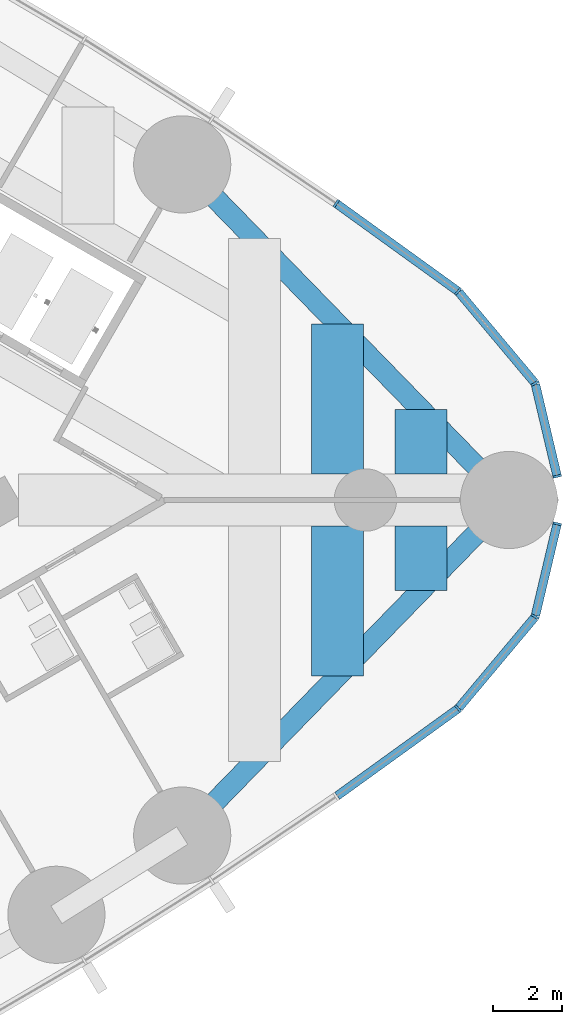
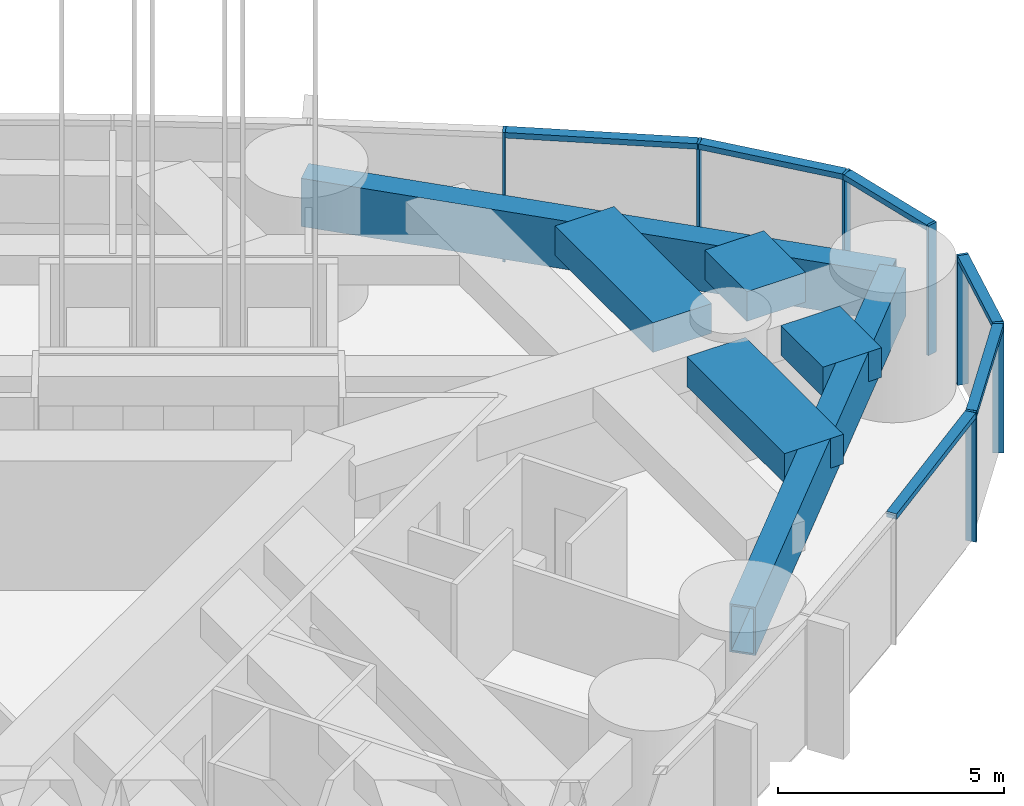
# One storey, part 9 of 21: 13 members, 6 beams, 2 elements without a shape of their own.
"""IFC4 building model written with IfcOpenShell, lengths in metres."""

from ifc_helpers import new_model, si_unit, direction, frame, origin, origin_2d, place, context, subcontext, project, spatial, rectangle, hollow_rectangle, extrude, material, material_profile, profile_set, type_object, element, aggregate, save


model = new_model("IFC4")

# Units and contexts
model_context = context("Model", 3, precision=1e-05, world=origin(), true_north=direction((0.0, 1.0)))
body_context = subcontext(model_context, "Body", "Model", "MODEL_VIEW")
ifc_project = project(units=[si_unit("LENGTHUNIT", "METRE"), si_unit("AREAUNIT", "SQUARE_METRE"), si_unit("VOLUMEUNIT", "CUBIC_METRE"), si_unit("PLANEANGLEUNIT", "RADIAN"), si_unit("MASSUNIT", "GRAM", prefix="KILO")], contexts=[model_context])

# Site, building, storey
site_placement = place(None, origin())
site = spatial("IfcSite", under=ifc_project, at=site_placement, CompositionType="ELEMENT")
building_placement = place(site_placement, origin())
building = spatial("IfcBuilding", under=site, at=building_placement, Name="Lancet Gate Hotel", CompositionType="ELEMENT")
storey_placement = place(building_placement, frame((0.0, 0.0, 156.300048828125)))
storey = spatial("IfcBuildingStorey", under=building, at=storey_placement, Name="L41", CompositionType="ELEMENT", Elevation=156.300048828125)

# Curtain wall, members
ifc_material_1 = material(Name="Aluminium curtain wall", Category="aluminium")
curtain_wall_type = type_object("IfcCurtainWallType", Name="Tower unitised curtain wall", PredefinedType="USERDEFINED", material=ifc_material_1)
curtain_wall_1_placement = place(storey_placement, origin())
curtain_wall_1 = element("IfcCurtainWall", 1, at=curtain_wall_1_placement, inside=storey, type_object=curtain_wall_type, Name="T2 L41 curtain wall 2", ObjectType="UNITISED CURTAIN WALL", PredefinedType="USERDEFINED")
ifc_material_2 = material(Name="Aluminium mullion", Category="aluminium")
ifc_material_profile_1 = material_profile(ifc_material_2, rectangle(XDim=0.06494140625, YDim=0.25, at=origin_2d()), Name="MULLION 65x250")
ifc_profile_set_1 = profile_set([ifc_material_profile_1], Name="Aluminium mullion")
member_type_1 = type_object("IfcMemberType", Name="Aluminium mullion 65x250", PredefinedType="MULLION", material=ifc_profile_set_1)
member_1_placement = place(storey_placement, frame((64.174560546875, -6.01123046875, 0.0), z_axis=(0.0, 0.0, 1.0), x_axis=(0.741693452951, 0.670739011725, 0.0)))
member_1 = element("IfcMember", 2, at=member_1_placement, type_object=member_type_1, Name="T2 L41 curtain wall 2 mullion 10", PredefinedType="MULLION", context=body_context, shape_type="SweptSolid", body=[
    extrude(rectangle(XDim=0.06494140625, YDim=0.25, at=origin_2d()), origin(), (0.0, 0.0, 1.0), 3.5),
])
member_2_placement = place(storey_placement, frame((66.3935546875, -3.362548828125, 0.0), z_axis=(0.0, 0.0, 1.0), x_axis=(0.472146326362, 0.881520190638, 0.0)))
member_2 = element("IfcMember", 3, at=member_2_placement, type_object=member_type_1, Name="T2 L41 curtain wall 2 mullion 11", PredefinedType="MULLION", context=body_context, shape_type="SweptSolid", body=[
    extrude(rectangle(XDim=0.06494140625, YDim=0.25, at=origin_2d()), origin(), (0.0, 0.0, 1.0), 3.5),
])
member_3_placement = place(storey_placement, frame((67.027587890625, -0.684326171875, 0.0), z_axis=(0.0, 0.0, 1.0), x_axis=(0.230366568544, 0.973103922558, 0.0)))
member_3 = element("IfcMember", 4, at=member_3_placement, type_object=member_type_1, Name="T2 L41 curtain wall 2 mullion 12", PredefinedType="MULLION", context=body_context, shape_type="SweptSolid", body=[
    extrude(rectangle(XDim=0.06494140625, YDim=0.25, at=origin_2d()), origin(), (0.0, 0.0, 1.0), 3.5),
])

curtain_wall_2_placement = place(storey_placement, origin())
curtain_wall_2 = element("IfcCurtainWall", 5, at=curtain_wall_2_placement, inside=storey, type_object=curtain_wall_type, Name="T2 L41 curtain wall 3", ObjectType="UNITISED CURTAIN WALL", PredefinedType="USERDEFINED")
member_4_placement = place(storey_placement, frame((67.027587890625, 0.684326171875, 0.0), z_axis=(0.0, 0.0, 1.0), x_axis=(-0.230366568544, 0.973103922558, 0.0)))
member_4 = element("IfcMember", 6, at=member_4_placement, type_object=member_type_1, Name="T2 L41 curtain wall 3 mullion 1", PredefinedType="MULLION", context=body_context, shape_type="SweptSolid", body=[
    extrude(rectangle(XDim=0.06494140625, YDim=0.25, at=origin_2d()), origin(), (0.0, 0.0, 1.0), 3.5),
])
member_5_placement = place(storey_placement, frame((66.3935546875, 3.362548828125, 0.0), z_axis=(0.0, 0.0, 1.0), x_axis=(-0.472146326362, 0.881520190638, 0.0)))
member_5 = element("IfcMember", 7, at=member_5_placement, type_object=member_type_1, Name="T2 L41 curtain wall 3 mullion 2", PredefinedType="MULLION", context=body_context, shape_type="SweptSolid", body=[
    extrude(rectangle(XDim=0.06494140625, YDim=0.25, at=origin_2d()), origin(), (0.0, 0.0, 1.0), 3.5),
])
member_6_placement = place(storey_placement, frame((64.174560546875, 6.01123046875, 0.0), z_axis=(0.0, 0.0, 1.0), x_axis=(-0.741693452951, 0.670739011725, 0.0)))
member_6 = element("IfcMember", 8, at=member_6_placement, type_object=member_type_1, Name="T2 L41 curtain wall 3 mullion 3", PredefinedType="MULLION", context=body_context, shape_type="SweptSolid", body=[
    extrude(rectangle(XDim=0.06494140625, YDim=0.25, at=origin_2d()), origin(), (0.0, 0.0, 1.0), 3.5),
])
member_7_placement = place(storey_placement, frame((60.66015625, 8.547607421875, 0.0), z_axis=(0.0, 0.0, 1.0), x_axis=(-0.820068208435, 0.572265789222, 0.0)))
member_7 = element("IfcMember", 9, at=member_7_placement, type_object=member_type_1, Name="T2 L41 curtain wall 3 mullion 4", PredefinedType="MULLION", context=body_context, shape_type="SweptSolid", body=[
    extrude(rectangle(XDim=0.06494140625, YDim=0.25, at=origin_2d()), origin(), (0.0, 0.0, 1.0), 3.5),
])

# Member
ifc_material_3 = material(Name="Aluminium transom", Category="aluminium")
ifc_material_profile_2 = material_profile(ifc_material_3, rectangle(XDim=0.25, YDim=0.14990234375, at=origin_2d()), Name="TRANSOM 250x150")
ifc_profile_set_2 = profile_set([ifc_material_profile_2], Name="Aluminium transom")
member_type_2 = type_object("IfcMemberType", Name="Aluminium transom 250x150", PredefinedType="USERDEFINED", material=ifc_profile_set_2)
member_8_placement = place(storey_placement, frame((60.6865234375, -8.528564453125, 3.425048828125), z_axis=(0.810879747578, 0.585212811691, 0.0), x_axis=(-0.585212811691, 0.810879747578, 0.0)))
member_8 = element("IfcMember", 10, at=member_8_placement, type_object=member_type_2, Name="T2 L41 curtain wall 2 transom 9", ObjectType="TRANSOM", PredefinedType="USERDEFINED", context=body_context, shape_type="SweptSolid", body=[
    extrude(rectangle(XDim=0.25, YDim=0.14990234375, at=origin_2d()), origin(), (0.0, 0.0, 1.0), 4.26904296875),
])

member_9_placement = place(storey_placement, frame((64.1953125, -5.986328125, 3.425048828125), z_axis=(0.642229010215, 0.766512816878, 0.0), x_axis=(-0.766512816878, 0.642229010215, 0.0)))
member_9 = element("IfcMember", 11, at=member_9_placement, type_object=member_type_2, Name="T2 L41 curtain wall 2 transom 10", ObjectType="TRANSOM", PredefinedType="USERDEFINED", context=body_context, shape_type="SweptSolid", body=[
    extrude(rectangle(XDim=0.25, YDim=0.14990234375, at=origin_2d()), origin(), (0.0, 0.0, 1.0), 3.390625),
])

member_10_placement = place(storey_placement, frame((66.401123046875, -3.3310546875, 3.425048828125), z_axis=(0.230310174804, 0.973117271135, 0.0), x_axis=(-0.973117271135, 0.230310174804, 0.0)))
member_10 = element("IfcMember", 12, at=member_10_placement, type_object=member_type_2, Name="T2 L41 curtain wall 2 transom 11", ObjectType="TRANSOM", PredefinedType="USERDEFINED", context=body_context, shape_type="SweptSolid", body=[
    extrude(rectangle(XDim=0.25, YDim=0.14990234375, at=origin_2d()), origin(), (0.0, 0.0, 1.0), 2.687255859375),
])

aggregate(curtain_wall_1, [member_1, member_2, member_3, member_8, member_9, member_10])

member_11_placement = place(storey_placement, frame((67.02001953125, 0.716064453125, 3.425048828125), z_axis=(-0.230310174804, 0.973117271135, 0.0), x_axis=(-0.973117271135, -0.230310174804, 0.0)))
member_11 = element("IfcMember", 13, at=member_11_placement, type_object=member_type_2, Name="T2 L41 curtain wall 3 transom 1", ObjectType="TRANSOM", PredefinedType="USERDEFINED", context=body_context, shape_type="SweptSolid", body=[
    extrude(rectangle(XDim=0.25, YDim=0.14990234375, at=origin_2d()), origin(), (0.0, 0.0, 1.0), 2.687255859375),
])

member_12_placement = place(storey_placement, frame((66.372802734375, 3.387451171875, 3.425048828125), z_axis=(-0.642229010215, 0.766512816878, 0.0), x_axis=(-0.766512816878, -0.642229010215, 0.0)))
member_12 = element("IfcMember", 14, at=member_12_placement, type_object=member_type_2, Name="T2 L41 curtain wall 3 transom 2", ObjectType="TRANSOM", PredefinedType="USERDEFINED", context=body_context, shape_type="SweptSolid", body=[
    extrude(rectangle(XDim=0.25, YDim=0.14990234375, at=origin_2d()), origin(), (0.0, 0.0, 1.0), 3.390625),
])

member_13_placement = place(storey_placement, frame((64.148193359375, 6.0302734375, 3.425048828125), z_axis=(-0.810879747578, 0.585212811691, 0.0), x_axis=(-0.585212811691, -0.810879747578, 0.0)))
member_13 = element("IfcMember", 15, at=member_13_placement, type_object=member_type_2, Name="T2 L41 curtain wall 3 transom 3", ObjectType="TRANSOM", PredefinedType="USERDEFINED", context=body_context, shape_type="SweptSolid", body=[
    extrude(rectangle(XDim=0.25, YDim=0.14990234375, at=origin_2d()), origin(), (0.0, 0.0, 1.0), 4.26904296875),
])

aggregate(curtain_wall_2, [member_4, member_5, member_6, member_7, member_11, member_12, member_13])

# Beams
ifc_material_4 = material(Name="Steel S460QL", Category="steel")
ifc_material_profile_3 = material_profile(ifc_material_4, hollow_rectangle(XDim=0.60009765625, YDim=1.300048828125, WallThickness=0.050048828125, at=origin_2d()), Name="BOX 1300x600x50")
ifc_profile_set_3 = profile_set([ifc_material_profile_3], Name="Steel S460QL")
beam_type_1 = type_object("IfcBeamType", Name="Edge beam BOX 1300x600x50", PredefinedType="SPANDREL", material=ifc_profile_set_3)
for number, where, z_axis, x_axis, name in (
    (16, (56.220947265625, -9.67236328125, 2.599853515625), (0.697649905443, 0.716438838587, 0.0), (-0.716438838587, 0.697649905443, 0.0), "T2 edge beam EB2 L41"),
    (17, (65.6396484375, 0.0, 2.599853515625), (-0.697649905443, 0.716438838587, 0.0), (-0.716438838587, -0.697649905443, 0.0), "T2 edge beam EB2 L41"),
):
    element("IfcBeam", number, at=place(storey_placement, frame(where, z_axis=z_axis, x_axis=x_axis)), inside=storey, type_object=beam_type_1, Name=name, PredefinedType="SPANDREL", context=body_context, shape_type="SweptSolid", body=[
        extrude(hollow_rectangle(XDim=0.60009765625, YDim=1.300048828125, WallThickness=0.050048828125, at=origin_2d()), origin(), (0.0, 0.0, 1.0), 13.500732421875),
    ])
ifc_material_5 = material(Name="Concrete C50/60", Category="concrete")
ifc_material_profile_4 = material_profile(ifc_material_5, rectangle(XDim=1.5, YDim=0.800048828125, at=origin_2d()), Name="RC 1500x800")
ifc_profile_set_4 = profile_set([ifc_material_profile_4], Name="Concrete C50/60")
beam_type_2 = type_object("IfcBeamType", Name="Floor beam RC 1500x800", PredefinedType="BEAM", material=ifc_profile_set_4)
for number, where, z_axis, x_axis, name in (
    (18, (60.7021484375, -5.0703125, 2.849853515625), (0.0, 1.0, 0.0), (-1.0, 0.0, 0.0), "T2 floor beam F14S L41"),
    (19, (60.7021484375, 0.75, 2.849853515625), (0.0, 1.0, 0.0), (-1.0, 0.0, 0.0), "T2 floor beam F15N L41"),
):
    element("IfcBeam", number, at=place(storey_placement, frame(where, z_axis=z_axis, x_axis=x_axis)), inside=storey, type_object=beam_type_2, Name=name, PredefinedType="BEAM", context=body_context, shape_type="SweptSolid", body=[
        extrude(rectangle(XDim=1.5, YDim=0.800048828125, at=origin_2d()), origin(), (0.0, 0.0, 1.0), 4.3203125),
    ])
for number, where, z_axis, x_axis, name in (
    (20, (63.102294921875, -2.605712890625, 2.849853515625), (0.0, 1.0, 0.0), (-1.0, 0.0, 0.0), "T2 floor beam F16S L41"),
    (21, (63.102294921875, 0.75, 2.849853515625), (0.0, 1.0, 0.0), (-1.0, 0.0, 0.0), "T2 floor beam F17N L41"),
):
    element("IfcBeam", number, at=place(storey_placement, frame(where, z_axis=z_axis, x_axis=x_axis)), inside=storey, type_object=beam_type_2, Name=name, PredefinedType="BEAM", context=body_context, shape_type="SweptSolid", body=[
        extrude(rectangle(XDim=1.5, YDim=0.800048828125, at=origin_2d()), origin(), (0.0, 0.0, 1.0), 1.855712890625),
    ])

save(model, "model.ifc")
